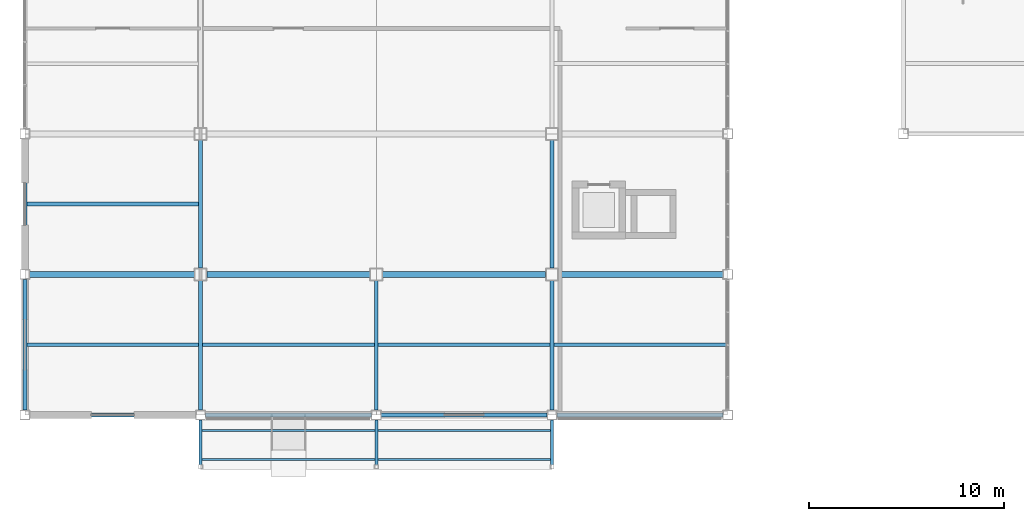
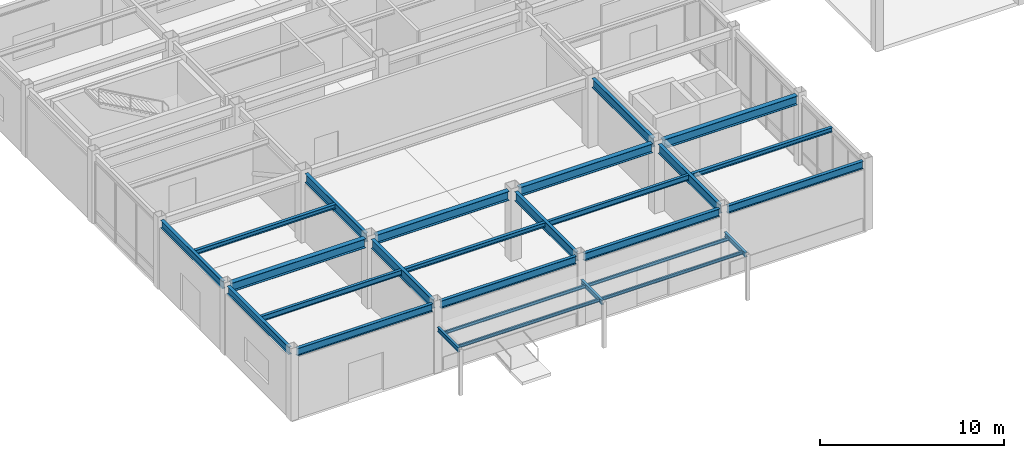
# One storey, part 13 of 112: 23 beams, 4 members.
"""IFC4 building model written with IfcOpenShell, lengths in metres."""

from ifc_helpers import new_model, si_unit, direction, frame, origin, origin_2d, place, context, subcontext, project, spatial, i_section, extrude, material, material_profile, profile_set, type_object, element, save


model = new_model("IFC4")

# Units and contexts
model_context = context("Model", 3, precision=1e-05, world=origin(), true_north=direction((0.0, 1.0)))
body_context = subcontext(model_context, "Body", "Model", "MODEL_VIEW")
ifc_project = project(units=[si_unit("LENGTHUNIT", "METRE"), si_unit("AREAUNIT", "SQUARE_METRE"), si_unit("VOLUMEUNIT", "CUBIC_METRE"), si_unit("PLANEANGLEUNIT", "RADIAN"), si_unit("MASSUNIT", "GRAM", prefix="KILO")], contexts=[model_context])

# Site, building, storey
site_placement = place(None, origin())
site = spatial("IfcSite", under=ifc_project, at=site_placement, CompositionType="ELEMENT")
building_placement = place(site_placement, origin())
building = spatial("IfcBuilding", under=site, at=building_placement, Name="Kazanami Central Library", CompositionType="ELEMENT")
storey_placement = place(building_placement, origin())
storey = spatial("IfcBuildingStorey", under=building, at=storey_placement, Name="L01", CompositionType="ELEMENT", Elevation=0.0)

# Beams
ifc_material_1 = material(Name="Steel SN400B (235 MPa)", Category="steel")
ifc_material_profile_1 = material_profile(ifc_material_1, i_section(OverallWidth=0.175048828125, OverallDepth=0.35009765625, WebThickness=0.007080078125, FlangeThickness=0.010986328125, at=origin_2d()), Name="H-350x175x7x11")
ifc_profile_set_1 = profile_set([ifc_material_profile_1], Name="Steel SN400B (235 MPa)")
beam_type_1 = type_object("IfcBeamType", Name="BM-B-S2", PredefinedType="JOIST", material=ifc_profile_set_1)
for number, where, z_axis, x_axis, name in (
    (1, (0.097900390625, 3.60009765625, 4.3798828125), (1.0, 0.0, 0.0), (0.0, 1.0, 0.0), "Composite Secondary Joist B-S2 L01 Bay 1/A.1"),
    (2, (18.097900390625, 3.60009765625, 4.3798828125), (1.0, 0.0, 0.0), (0.0, 1.0, 0.0), "Composite Secondary Joist B-S2 L01 Bay 3/A.1"),
):
    element("IfcBeam", number, at=place(storey_placement, frame(where, z_axis=z_axis, x_axis=x_axis)), inside=storey, type_object=beam_type_1, Name=name, PredefinedType="JOIST", context=body_context, shape_type="SweptSolid", body=[
        extrude(i_section(OverallWidth=0.175048828125, OverallDepth=0.35009765625, WebThickness=0.007080078125, FlangeThickness=0.010986328125, at=origin_2d()), origin(), (0.0, 0.0, 1.0), 8.80419921875),
    ])
ifc_material_profile_2 = material_profile(ifc_material_1, i_section(OverallWidth=0.199951171875, OverallDepth=0.2939453125, WebThickness=0.008056640625, FlangeThickness=0.011962890625, at=origin_2d()), Name="H-294x200x8x12")
ifc_profile_set_2 = profile_set([ifc_material_profile_2], Name="Steel SN400B (235 MPa)")
beam_type_2 = type_object("IfcBeamType", Name="BM-B-S5", PredefinedType="JOIST", material=ifc_profile_set_2)
for number, where, z_axis, x_axis, name in (
    (3, (0.097900390625, 10.800048828125, 4.407958984375), (1.0, 0.0, 0.0), (0.0, 1.0, 0.0), "Composite Secondary Joist B-S5 L01 Bay 1/B.1"),
    (4, (9.097900390625, 3.60009765625, 4.407958984375), (1.0, 0.0, 0.0), (0.0, 1.0, 0.0), "Composite Secondary Joist B-S5 L01 Bay 2/A.1"),
    (5, (27.097900390625, 3.60009765625, 4.407958984375), (1.0, 0.0, 0.0), (0.0, 1.0, 0.0), "Composite Secondary Joist B-S5 L01 Bay 4/A.1"),
):
    element("IfcBeam", number, at=place(storey_placement, frame(where, z_axis=z_axis, x_axis=x_axis)), inside=storey, type_object=beam_type_2, Name=name, PredefinedType="JOIST", context=body_context, shape_type="SweptSolid", body=[
        extrude(i_section(OverallWidth=0.199951171875, OverallDepth=0.2939453125, WebThickness=0.008056640625, FlangeThickness=0.011962890625, at=origin_2d()), origin(), (0.0, 0.0, 1.0), 8.80419921875),
    ])
ifc_material_2 = material(Name="Steel SN490B (325 MPa)", Category="steel")
ifc_material_profile_3 = material_profile(ifc_material_2, i_section(OverallWidth=0.14990234375, OverallDepth=0.300048828125, WebThickness=0.006591796875, FlangeThickness=0.009033203125, at=origin_2d()), Name="H-300x150x6.5x9")
ifc_profile_set_3 = profile_set([ifc_material_profile_3], Name="Steel SN490B (325 MPa)")
beam_type_3 = type_object("IfcBeamType", Name="BM-CAN-300", PredefinedType="SPANDREL", material=ifc_profile_set_3)
for number, where, z_axis, x_axis, name in (
    (6, (9.0, -0.25, 2.89990234375), (0.0, -1.0, 0.0), (1.0, 0.0, 0.0), "Canopy Beam CAN-V3-SW X=9"),
    (7, (18.0, -0.25, 2.89990234375), (0.0, -1.0, 0.0), (1.0, 0.0, 0.0), "Canopy Beam CAN-V3-SW X=18"),
    (8, (27.0, -0.25, 2.89990234375), (0.0, -1.0, 0.0), (1.0, 0.0, 0.0), "Canopy Beam CAN-V3-SW X=27"),
):
    element("IfcBeam", number, at=place(storey_placement, frame(where, z_axis=z_axis, x_axis=x_axis)), inside=storey, type_object=beam_type_3, Name=name, PredefinedType="SPANDREL", context=body_context, shape_type="SweptSolid", body=[
        extrude(i_section(OverallWidth=0.14990234375, OverallDepth=0.300048828125, WebThickness=0.006591796875, FlangeThickness=0.009033203125, at=origin_2d()), origin(), (0.0, 0.0, 1.0), 2.300048828125),
    ])
ifc_material_profile_4 = material_profile(ifc_material_2, i_section(OverallWidth=0.300048828125, OverallDepth=0.60009765625, WebThickness=0.011962890625, FlangeThickness=0.02001953125, at=origin_2d()), Name="H-600x300x12x20")
ifc_profile_set_4 = profile_set([ifc_material_profile_4], Name="Steel SN490B (325 MPa)")
beam_type_4 = type_object("IfcBeamType", Name="BM-G-X1", PredefinedType="BEAM", material=ifc_profile_set_4)
beam_1_placement = place(storey_placement, frame((0.248046875, 7.199951171875, 4.2548828125), z_axis=(1.0, 0.0, 0.0), x_axis=(0.0, 1.0, 0.0)))
element("IfcBeam", 9, at=beam_1_placement, inside=storey, type_object=beam_type_4, Name="Girder G-X1 L01 B/1-2", PredefinedType="BEAM", context=body_context, shape_type="SweptSolid", body=[
    extrude(i_section(OverallWidth=0.300048828125, OverallDepth=0.60009765625, WebThickness=0.011962890625, FlangeThickness=0.02001953125, at=origin_2d()), origin(), (0.0, 0.0, 1.0), 8.428955078125),
])
for number, where, z_axis, x_axis, name in (
    (10, (9.322998046875, 7.199951171875, 4.2548828125), (1.0, 0.0, 0.0), (0.0, 1.0, 0.0), "Girder G-X1 L01 B/2-3"),
    (11, (18.322998046875, 7.199951171875, 4.2548828125), (1.0, 0.0, 0.0), (0.0, 1.0, 0.0), "Girder G-X1 L01 B/3-4"),
):
    element("IfcBeam", number, at=place(storey_placement, frame(where, z_axis=z_axis, x_axis=x_axis)), inside=storey, type_object=beam_type_4, Name=name, PredefinedType="BEAM", context=body_context, shape_type="SweptSolid", body=[
        extrude(i_section(OverallWidth=0.300048828125, OverallDepth=0.60009765625, WebThickness=0.011962890625, FlangeThickness=0.02001953125, at=origin_2d()), origin(), (0.0, 0.0, 1.0), 8.35400390625),
    ])
beam_2_placement = place(storey_placement, frame((27.322998046875, 7.199951171875, 4.2548828125), z_axis=(1.0, 0.0, 0.0), x_axis=(0.0, 1.0, 0.0)))
element("IfcBeam", 12, at=beam_2_placement, inside=storey, type_object=beam_type_4, Name="Girder G-X1 L01 B/4-5", PredefinedType="BEAM", context=body_context, shape_type="SweptSolid", body=[
    extrude(i_section(OverallWidth=0.300048828125, OverallDepth=0.60009765625, WebThickness=0.011962890625, FlangeThickness=0.02001953125, at=origin_2d()), origin(), (0.0, 0.0, 1.0), 8.428955078125),
])
ifc_material_profile_5 = material_profile(ifc_material_2, i_section(OverallWidth=0.199951171875, OverallDepth=0.60009765625, WebThickness=0.010986328125, FlangeThickness=0.01708984375, at=origin_2d()), Name="H-600x200x11x17")
ifc_profile_set_5 = profile_set([ifc_material_profile_5], Name="Steel SN490B (325 MPa)")
beam_type_5 = type_object("IfcBeamType", Name="BM-G-Y1", PredefinedType="BEAM", material=ifc_profile_set_5)
beam_3_placement = place(storey_placement, frame((9.0, 0.248046875, 4.2548828125), z_axis=(0.0, 1.0, 0.0), x_axis=(-1.0, 0.0, 0.0)))
element("IfcBeam", 13, at=beam_3_placement, inside=storey, type_object=beam_type_5, Name="Girder G-Y1 L01 2/A-B", PredefinedType="BEAM", context=body_context, shape_type="SweptSolid", body=[
    extrude(i_section(OverallWidth=0.199951171875, OverallDepth=0.60009765625, WebThickness=0.010986328125, FlangeThickness=0.01708984375, at=origin_2d()), origin(), (0.0, 0.0, 1.0), 6.62890625),
])
beam_4_placement = place(storey_placement, frame((9.0, 7.52294921875, 4.2548828125), z_axis=(0.0, 1.0, 0.0), x_axis=(-1.0, 0.0, 0.0)))
element("IfcBeam", 14, at=beam_4_placement, inside=storey, type_object=beam_type_5, Name="Girder G-Y1 L01 2/B-C", PredefinedType="BEAM", context=body_context, shape_type="SweptSolid", body=[
    extrude(i_section(OverallWidth=0.199951171875, OverallDepth=0.60009765625, WebThickness=0.010986328125, FlangeThickness=0.01708984375, at=origin_2d()), origin(), (0.0, 0.0, 1.0), 6.553955078125),
])
for number, where, z_axis, x_axis, name in (
    (15, (18.0, 0.248046875, 4.2548828125), (0.0, 1.0, 0.0), (-1.0, 0.0, 0.0), "Girder G-Y1 L01 3/A-B"),
    (16, (27.0, 0.248046875, 4.2548828125), (0.0, 1.0, 0.0), (-1.0, 0.0, 0.0), "Girder G-Y1 L01 4/A-B"),
):
    element("IfcBeam", number, at=place(storey_placement, frame(where, z_axis=z_axis, x_axis=x_axis)), inside=storey, type_object=beam_type_5, Name=name, PredefinedType="BEAM", context=body_context, shape_type="SweptSolid", body=[
        extrude(i_section(OverallWidth=0.199951171875, OverallDepth=0.60009765625, WebThickness=0.010986328125, FlangeThickness=0.01708984375, at=origin_2d()), origin(), (0.0, 0.0, 1.0), 6.62890625),
    ])
beam_5_placement = place(storey_placement, frame((27.0, 7.52294921875, 4.2548828125), z_axis=(0.0, 1.0, 0.0), x_axis=(-1.0, 0.0, 0.0)))
element("IfcBeam", 17, at=beam_5_placement, inside=storey, type_object=beam_type_5, Name="Girder G-Y1 L01 4/B-C", PredefinedType="BEAM", context=body_context, shape_type="SweptSolid", body=[
    extrude(i_section(OverallWidth=0.199951171875, OverallDepth=0.60009765625, WebThickness=0.010986328125, FlangeThickness=0.01708984375, at=origin_2d()), origin(), (0.0, 0.0, 1.0), 6.553955078125),
])
ifc_material_profile_6 = material_profile(ifc_material_2, i_section(OverallWidth=0.199951171875, OverallDepth=0.5, WebThickness=0.010009765625, FlangeThickness=0.01611328125, at=origin_2d()), Name="H-500x200x10x16")
ifc_profile_set_6 = profile_set([ifc_material_profile_6], Name="Steel SN490B (325 MPa)")
beam_type_6 = type_object("IfcBeamType", Name="BM-SP-1", PredefinedType="SPANDREL", material=ifc_profile_set_6)
for number, where, z_axis, x_axis, name in (
    (18, (0.248046875, 0.0, 4.304931640625), (1.0, 0.0, 0.0), (0.0, 1.0, 0.0), "Girder SP-1 L01 A/1-2"),
    (19, (9.248046875, 0.0, 4.304931640625), (1.0, 0.0, 0.0), (0.0, 1.0, 0.0), "Girder SP-1 L01 A/2-3"),
    (20, (18.248046875, 0.0, 4.304931640625), (1.0, 0.0, 0.0), (0.0, 1.0, 0.0), "Girder SP-1 L01 A/3-4"),
    (21, (27.248046875, 0.0, 4.304931640625), (1.0, 0.0, 0.0), (0.0, 1.0, 0.0), "Girder SP-1 L01 A/4-5"),
):
    element("IfcBeam", number, at=place(storey_placement, frame(where, z_axis=z_axis, x_axis=x_axis)), inside=storey, type_object=beam_type_6, Name=name, PredefinedType="SPANDREL", context=body_context, shape_type="SweptSolid", body=[
        extrude(i_section(OverallWidth=0.199951171875, OverallDepth=0.5, WebThickness=0.010009765625, FlangeThickness=0.01611328125, at=origin_2d()), origin(), (0.0, 0.0, 1.0), 8.50390625),
    ])
beam_6_placement = place(storey_placement, frame((0.0, 0.248046875, 4.304931640625), z_axis=(0.0, 1.0, 0.0), x_axis=(-1.0, 0.0, 0.0)))
element("IfcBeam", 22, at=beam_6_placement, inside=storey, type_object=beam_type_6, Name="Girder SP-1 L01 1/A-B", PredefinedType="SPANDREL", context=body_context, shape_type="SweptSolid", body=[
    extrude(i_section(OverallWidth=0.199951171875, OverallDepth=0.5, WebThickness=0.010009765625, FlangeThickness=0.01611328125, at=origin_2d()), origin(), (0.0, 0.0, 1.0), 6.703857421875),
])
beam_7_placement = place(storey_placement, frame((0.0, 7.447998046875, 4.304931640625), z_axis=(0.0, 1.0, 0.0), x_axis=(-1.0, 0.0, 0.0)))
element("IfcBeam", 23, at=beam_7_placement, inside=storey, type_object=beam_type_6, Name="Girder SP-1 L01 1/B-C", PredefinedType="SPANDREL", context=body_context, shape_type="SweptSolid", body=[
    extrude(i_section(OverallWidth=0.199951171875, OverallDepth=0.5, WebThickness=0.010009765625, FlangeThickness=0.01611328125, at=origin_2d()), origin(), (0.0, 0.0, 1.0), 6.7041015625),
])

# Members
ifc_material_profile_7 = material_profile(ifc_material_1, i_section(OverallWidth=0.10009765625, OverallDepth=0.199951171875, WebThickness=0.005615234375, FlangeThickness=0.008056640625, at=origin_2d()), Name="H-200x100x5.5x8")
ifc_profile_set_7 = profile_set([ifc_material_profile_7], Name="Steel SN400B (235 MPa)")
member_type = type_object("IfcMemberType", Name="MEM-PUR-200", PredefinedType="PURLIN", material=ifc_profile_set_7)
for number, where, z_axis, x_axis, name in (
    (24, (9.074951171875, -2.2900390625, 2.949951171875), (1.0, 0.0, 0.0), (0.0, 1.0, 0.0), "Canopy Purlin CAN-V3-SW 1.1"),
    (25, (18.074951171875, -2.2900390625, 2.949951171875), (1.0, 0.0, 0.0), (0.0, 1.0, 0.0), "Canopy Purlin CAN-V3-SW 1.2"),
    (26, (9.074951171875, -0.7900390625, 2.949951171875), (1.0, 0.0, 0.0), (0.0, 1.0, 0.0), "Canopy Purlin CAN-V3-SW 2.1"),
    (27, (18.074951171875, -0.7900390625, 2.949951171875), (1.0, 0.0, 0.0), (0.0, 1.0, 0.0), "Canopy Purlin CAN-V3-SW 2.2"),
):
    element("IfcMember", number, at=place(storey_placement, frame(where, z_axis=z_axis, x_axis=x_axis)), inside=storey, type_object=member_type, Name=name, PredefinedType="PURLIN", context=body_context, shape_type="SweptSolid", body=[
        extrude(i_section(OverallWidth=0.10009765625, OverallDepth=0.199951171875, WebThickness=0.005615234375, FlangeThickness=0.008056640625, at=origin_2d()), origin(), (0.0, 0.0, 1.0), 8.85009765625),
    ])

save(model, "model.ifc")
